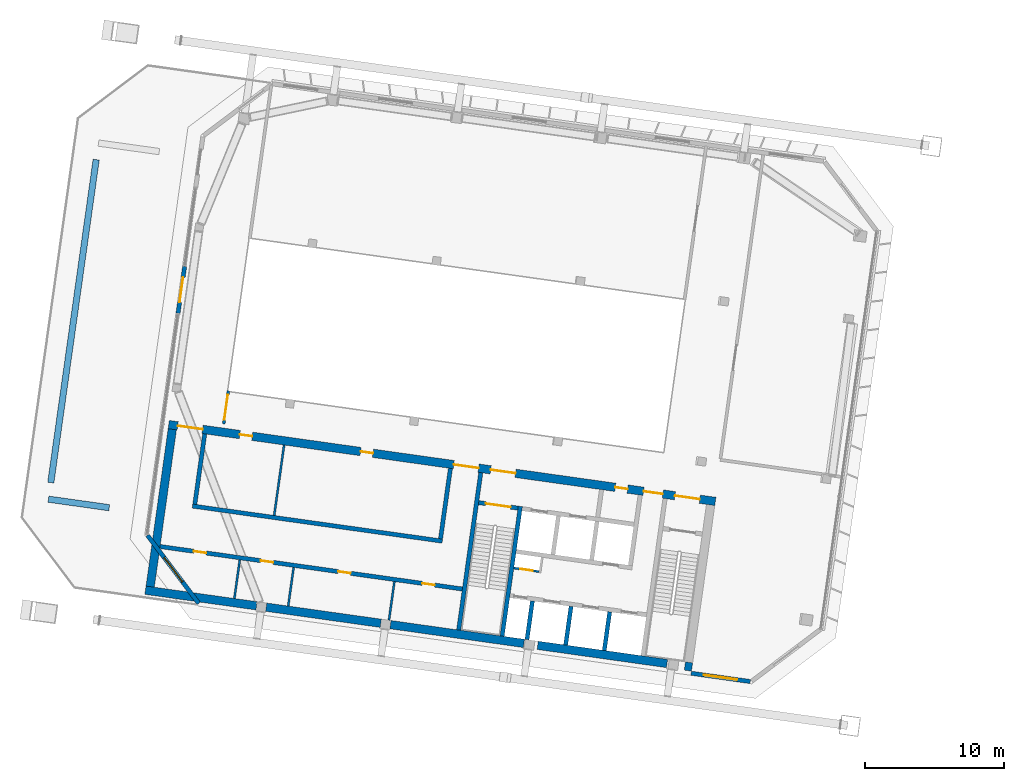
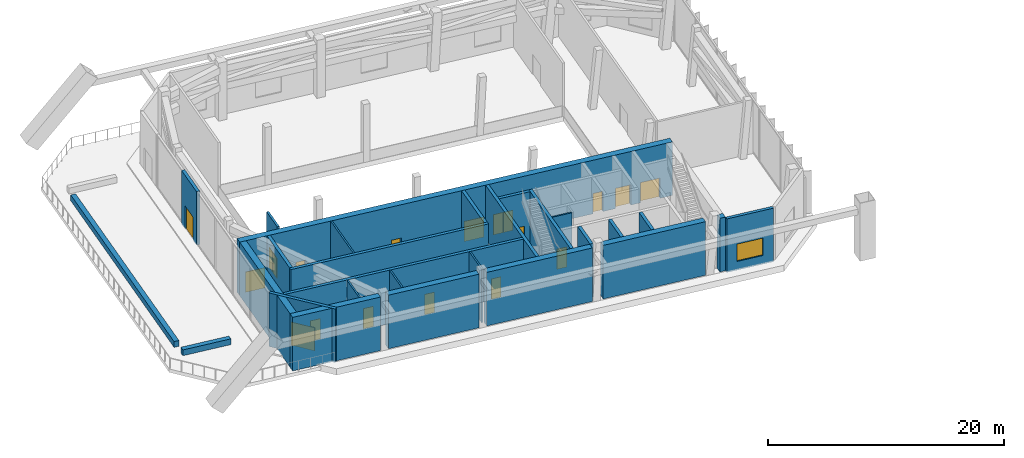
# One storey, part 15 of 29: 28 walls, 16 doors, 2 windows, 18 openings.
"""IFC4 building model written with IfcOpenShell, lengths in metres."""

from ifc_helpers import new_model, si_unit, direction, frame, frame_2d, origin, place, context, subcontext, project, spatial, rectangle, extrude, material, layer, layer_set, type_object, element, fill, save


model = new_model("IFC4")

# Units and contexts
model_context = context("Model", 3, precision=1e-05, world=origin(), true_north=direction((0.0, 1.0)))
body_context = subcontext(model_context, "Body", "Model", "MODEL_VIEW")
ifc_project = project(units=[si_unit("LENGTHUNIT", "METRE"), si_unit("AREAUNIT", "SQUARE_METRE"), si_unit("VOLUMEUNIT", "CUBIC_METRE"), si_unit("PLANEANGLEUNIT", "RADIAN"), si_unit("MASSUNIT", "GRAM", prefix="KILO")], contexts=[model_context])

# Site, building, storey
site_placement = place(None, origin())
site = spatial("IfcSite", under=ifc_project, at=site_placement, CompositionType="ELEMENT")
building_placement = place(site_placement, origin())
building = spatial("IfcBuilding", under=site, at=building_placement, Name="Mirante Cascada Hotel Towers", CompositionType="ELEMENT")
storey_placement = place(building_placement, frame((0.0, 0.0, 210.6)))
storey = spatial("IfcBuildingStorey", under=building, at=storey_placement, Name="L50", CompositionType="ELEMENT", Elevation=210.6)

# Wall, opening, door
ifc_material_1 = material(Name="Masonry block", Category="masonry")
ifc_layer_1 = layer(ifc_material_1, 0.15)
ifc_layer_set_1 = layer_set([ifc_layer_1], Name="Core room partition 150 block EI 30")
wall_type_1 = type_object("IfcWallType", Name="Core room partition 150 block EI 30", PredefinedType="PARTITIONING", material=ifc_layer_set_1)
wall_1_placement = place(storey_placement, frame((-48.2933, -12.7083, 0.0), z_axis=(0.0, 0.0, 1.0), x_axis=(-0.990268, 0.1391734, 0.0)))
wall_1 = element("IfcWall", 1, at=wall_1_placement, inside=storey, type_object=wall_type_1, Name="Core wall partition T1 L50 3", PredefinedType="PARTITIONING", context=body_context, shape_type="SweptSolid", body=[
    extrude(rectangle(XDim=1.8251, YDim=0.15, at=frame_2d((0.9126, 0.0))), origin(), (0.0, 0.0, 1.0), 5.55),
])
opening_1_placement = place(wall_1_placement, frame((0.4625, 0.0, 0.0)))
opening_1 = element("IfcOpeningElement", 2, at=opening_1_placement, cuts=wall_1, Name="Opening D1-50-C15", PredefinedType="OPENING", context=body_context, shape_type="SweptSolid", body=[
    extrude(rectangle(XDim=0.9, YDim=2.1, at=frame_2d((0.45, 1.05))), frame((0.0, 0.075, 0.0), z_axis=(0.0, -1.0, 0.0), x_axis=(1.0, 0.0, 0.0)), (0.0, 0.0, 1.0), 0.15),
])
ifc_material_2 = material(Name="Hollow metal fire door leaf")
door_type_1 = type_object("IfcDoorType", Name="Fire door 900x2100 FD60", OperationType="NOTDEFINED", PredefinedType="DOOR", material=ifc_material_2)
door_1_placement = place(opening_1_placement, origin())
door_1 = element("IfcDoor", 3, at=door_1_placement, inside=storey, type_object=door_type_1, Name="Riser door T1 L50 15", OperationType="SINGLE_SWING_LEFT", OverallHeight=2.1, OverallWidth=0.9, PredefinedType="DOOR", context=body_context, shape_type="SweptSolid", body=[
    extrude(rectangle(XDim=0.9, YDim=2.1, at=frame_2d((0.45, 1.05))), frame((0.0, 0.025, 0.0), z_axis=(0.0, -1.0, 0.0), x_axis=(1.0, 0.0, 0.0)), (0.0, 0.0, 1.0), 0.05),
])
fill(opening_1, door_1)

# Walls
for number, where, z_axis, x_axis, name in (
    (4, (-59.0582, -16.194, 0.0), (0.0, 0.0, 1.0), (0.139181, 0.990267, 0.0), "Core wall partition T1 L50 5"),
    (5, (-66.2872, -15.178, 0.0), (0.0, 0.0, 1.0), (0.139181, 0.990267, 0.0), "Core wall partition T1 L50 6"),
):
    element("IfcWall", number, at=place(storey_placement, frame(where, z_axis=z_axis, x_axis=x_axis)), inside=storey, type_object=wall_type_1, Name=name, PredefinedType="PARTITIONING", context=body_context, shape_type="SweptSolid", body=[
        extrude(rectangle(XDim=2.8, YDim=0.15, at=frame_2d((1.4, 0.0))), origin(), (0.0, 0.0, 1.0), 5.55),
    ])
wall_2_placement = place(storey_placement, frame((-70.1492, -14.6353, 0.0), z_axis=(0.0, 0.0, 1.0), x_axis=(0.139176, 0.9902677, 0.0)))
element("IfcWall", 6, at=wall_2_placement, inside=storey, type_object=wall_type_1, Name="Core wall partition T1 L50 7", PredefinedType="PARTITIONING", context=body_context, shape_type="SweptSolid", body=[
    extrude(rectangle(XDim=2.8001, YDim=0.15, at=frame_2d((1.4, 0.0))), origin(), (0.0, 0.0, 1.0), 5.55),
])
wall_3_placement = place(storey_placement, frame((-67.2919, -8.6749, 0.0), z_axis=(0.0, 0.0, 1.0), x_axis=(0.1391782, 0.9902673, 0.0)))
element("IfcWall", 7, at=wall_3_placement, inside=storey, type_object=wall_type_1, Name="Core wall partition T1 L50 8", PredefinedType="PARTITIONING", context=body_context, shape_type="SweptSolid", body=[
    extrude(rectangle(XDim=5.0999, YDim=0.15, at=frame_2d((2.55, 0.0))), origin(), (0.0, 0.0, 1.0), 5.55),
])

# Wall, openings, doors
ifc_material_3 = material(Name="Masonry block", Category="masonry")
ifc_layer_2 = layer(ifc_material_3, 0.3)
ifc_layer_set_2 = layer_set([ifc_layer_2], Name="Core wall 300 block EI 120")
wall_type_2 = type_object("IfcWallType", Name="Core wall 300 block EI 120", PredefinedType="PARTITIONING", material=ifc_layer_set_2)
wall_4_placement = place(storey_placement, frame((-53.7953, -13.9547, 0.0), z_axis=(0.0, 0.0, 1.0), x_axis=(-0.990268, 0.1391733, 0.0)))
wall_4 = element("IfcWall", 8, at=wall_4_placement, inside=storey, type_object=wall_type_2, Name="Core wall partition T1 L50 4", PredefinedType="PARTITIONING", context=body_context, shape_type="SweptSolid", body=[
    extrude(rectangle(XDim=21.9, YDim=0.3, at=frame_2d((10.95, 0.0))), origin(), (0.0, 0.0, 1.0), 5.55),
])
opening_2_placement = place(wall_4_placement, frame((2.0, 0.0, 0.0)))
opening_2 = element("IfcOpeningElement", 9, at=opening_2_placement, cuts=wall_4, Name="Opening D1-50-C17", PredefinedType="OPENING", context=body_context, shape_type="SweptSolid", body=[
    extrude(rectangle(XDim=0.9, YDim=2.1, at=frame_2d((0.45, 1.05))), frame((0.0, 0.15, 0.0), z_axis=(0.0, -1.0, 0.0), x_axis=(1.0, 0.0, 0.0)), (0.0, 0.0, 1.0), 0.3),
])
opening_3_placement = place(wall_4_placement, frame((8.1, 0.0, 0.0)))
opening_3 = element("IfcOpeningElement", 10, at=opening_3_placement, cuts=wall_4, Name="Opening D1-50-C18", PredefinedType="OPENING", context=body_context, shape_type="SweptSolid", body=[
    extrude(rectangle(XDim=0.9, YDim=2.1, at=frame_2d((0.45, 1.05))), frame((0.0, 0.15, 0.0), z_axis=(0.0, -1.0, 0.0), x_axis=(1.0, 0.0, 0.0)), (0.0, 0.0, 1.0), 0.3),
])
opening_4_placement = place(wall_4_placement, frame((13.7, 0.0, 0.0)))
opening_4 = element("IfcOpeningElement", 11, at=opening_4_placement, cuts=wall_4, Name="Opening D1-50-C19", PredefinedType="OPENING", context=body_context, shape_type="SweptSolid", body=[
    extrude(rectangle(XDim=0.9, YDim=2.1, at=frame_2d((0.45, 1.05))), frame((0.0, 0.15, 0.0), z_axis=(0.0, -1.0, 0.0), x_axis=(1.0, 0.0, 0.0)), (0.0, 0.0, 1.0), 0.3),
])
opening_5_placement = place(wall_4_placement, frame((18.55, 0.0, 0.0)))
opening_5 = element("IfcOpeningElement", 12, at=opening_5_placement, cuts=wall_4, Name="Opening D1-50-C20", PredefinedType="OPENING", context=body_context, shape_type="SweptSolid", body=[
    extrude(rectangle(XDim=0.9, YDim=2.1, at=frame_2d((0.45, 1.05))), frame((0.0, 0.15, 0.0), z_axis=(0.0, -1.0, 0.0), x_axis=(1.0, 0.0, 0.0)), (0.0, 0.0, 1.0), 0.3),
])
door_2_placement = place(opening_2_placement, origin())
door_2 = element("IfcDoor", 13, at=door_2_placement, inside=storey, type_object=door_type_1, Name="Room door T1 L50 17", OperationType="SINGLE_SWING_RIGHT", OverallHeight=2.1, OverallWidth=0.9, PredefinedType="DOOR", context=body_context, shape_type="SweptSolid", body=[
    extrude(rectangle(XDim=0.9, YDim=2.1, at=frame_2d((0.45, 1.05))), frame((0.0, 0.025, 0.0), z_axis=(0.0, -1.0, 0.0), x_axis=(1.0, 0.0, 0.0)), (0.0, 0.0, 1.0), 0.05),
])
fill(opening_2, door_2)
door_3_placement = place(opening_3_placement, origin())
door_3 = element("IfcDoor", 14, at=door_3_placement, inside=storey, type_object=door_type_1, Name="Room door T1 L50 18", OperationType="SINGLE_SWING_RIGHT", OverallHeight=2.1, OverallWidth=0.9, PredefinedType="DOOR", context=body_context, shape_type="SweptSolid", body=[
    extrude(rectangle(XDim=0.9, YDim=2.1, at=frame_2d((0.45, 1.05))), frame((0.0, 0.025, 0.0), z_axis=(0.0, -1.0, 0.0), x_axis=(1.0, 0.0, 0.0)), (0.0, 0.0, 1.0), 0.05),
])
fill(opening_3, door_3)
door_4_placement = place(opening_4_placement, origin())
door_4 = element("IfcDoor", 15, at=door_4_placement, inside=storey, type_object=door_type_1, Name="Room door T1 L50 19", OperationType="SINGLE_SWING_LEFT", OverallHeight=2.1, OverallWidth=0.9, PredefinedType="DOOR", context=body_context, shape_type="SweptSolid", body=[
    extrude(rectangle(XDim=0.9, YDim=2.1, at=frame_2d((0.45, 1.05))), frame((0.0, 0.025, 0.0), z_axis=(0.0, -1.0, 0.0), x_axis=(1.0, 0.0, 0.0)), (0.0, 0.0, 1.0), 0.05),
])
fill(opening_4, door_4)
door_5_placement = place(opening_5_placement, origin())
door_5 = element("IfcDoor", 16, at=door_5_placement, inside=storey, type_object=door_type_1, Name="Room door T1 L50 20", OperationType="SINGLE_SWING_LEFT", OverallHeight=2.1, OverallWidth=0.9, PredefinedType="DOOR", context=body_context, shape_type="SweptSolid", body=[
    extrude(rectangle(XDim=0.9, YDim=2.1, at=frame_2d((0.45, 1.05))), frame((0.0, 0.025, 0.0), z_axis=(0.0, -1.0, 0.0), x_axis=(1.0, 0.0, 0.0)), (0.0, 0.0, 1.0), 0.05),
])
fill(opening_5, door_5)

# Walls
ifc_material_4 = material(Name="Precast concrete C40/50", Category="concrete")
ifc_layer_3 = layer(ifc_material_4, 0.45)
ifc_layer_set_3 = layer_set([ifc_layer_3], Name="Planter wall 450 concrete C40/50")
wall_type_3 = type_object("IfcWallType", Name="Planter wall 450 concrete C40/50", PredefinedType="PARAPET", material=ifc_layer_set_3)
wall_5_placement = place(storey_placement, frame((-79.1301, -8.122, 0.0), z_axis=(0.0, 0.0, 1.0), x_axis=(-0.990267, 0.139181, 0.0)))
element("IfcWall", 17, at=wall_5_placement, inside=storey, type_object=wall_type_3, Name="PLANTER T1 L50 bed 1", PredefinedType="PARAPET", context=body_context, shape_type="SweptSolid", body=[
    extrude(rectangle(XDim=4.4, YDim=0.45, at=frame_2d((2.2, 0.0))), origin(), (0.0, 0.0, 1.0), 0.6),
])
wall_6_placement = place(storey_placement, frame((-83.3203, -6.3213, 0.0), z_axis=(0.0, 0.0, 1.0), x_axis=(0.1391708, 0.9902684, 0.0)))
element("IfcWall", 18, at=wall_6_placement, inside=storey, type_object=wall_type_3, Name="PLANTER T1 L50 bed 3", PredefinedType="PARAPET", context=body_context, shape_type="SweptSolid", body=[
    extrude(rectangle(XDim=23.4, YDim=0.45, at=frame_2d((11.7, 0.0))), origin(), (0.0, 0.0, 1.0), 0.6),
])

# Wall, opening, window
ifc_material_5 = material(Name="Precast concrete C40/50", Category="concrete")
ifc_layer_4 = layer(ifc_material_5, 0.3)
ifc_layer_set_4 = layer_set([ifc_layer_4], Name="Precast concrete C40/50 cladding wall 300")
wall_type_4 = type_object("IfcWallType", Name="Precast concrete C40/50 cladding wall 300", PredefinedType="STANDARD", material=ifc_layer_set_4)
wall_7_placement = place(storey_placement, frame((-33.138, -20.5943, 0.0), z_axis=(0.0, 0.0, 1.0), x_axis=(-0.9902652, 0.1391936, 0.0)))
wall_7 = element("IfcWall", 19, at=wall_7_placement, inside=storey, type_object=wall_type_4, Name="Rear cladding wall T1 L50 1", PredefinedType="STANDARD", context=body_context, shape_type="SweptSolid", body=[
    extrude(rectangle(XDim=4.2804, YDim=0.3, at=frame_2d((2.1402, 0.0))), origin(), (0.0, 0.0, 1.0), 5.55),
])
opening_6_placement = place(wall_7_placement, frame((0.959, 0.0, 0.9)))
opening_6 = element("IfcOpeningElement", 20, at=opening_6_placement, cuts=wall_7, Name="Opening W1-50-06", PredefinedType="OPENING", context=body_context, shape_type="SweptSolid", body=[
    extrude(rectangle(XDim=2.4, YDim=1.8, at=frame_2d((1.2, 0.9))), frame((0.0, 0.15, 0.0), z_axis=(0.0, -1.0, 0.0), x_axis=(1.0, 0.0, 0.0)), (0.0, 0.0, 1.0), 0.3),
])
ifc_material_6 = material(Name="Aluminium frame with clear double glazing", Category="aluminium")
window_type_1 = type_object("IfcWindowType", Name="Punched window 2400x1800", PartitioningType="DOUBLE_PANEL_VERTICAL", PredefinedType="WINDOW", material=ifc_material_6)
window_1_placement = place(opening_6_placement, origin())
window_1 = element("IfcWindow", 21, at=window_1_placement, inside=storey, type_object=window_type_1, Name="Window W1-50-06", OverallHeight=1.8, OverallWidth=2.4, PartitioningType="SINGLE_PANEL", PredefinedType="WINDOW", context=body_context, shape_type="SweptSolid", body=[
    extrude(rectangle(XDim=2.4, YDim=1.8, at=frame_2d((1.2, 0.9))), frame((0.0, 0.03, 0.0), z_axis=(0.0, -1.0, 0.0), x_axis=(1.0, 0.0, 0.0)), (0.0, 0.0, 1.0), 0.06),
])
fill(opening_6, window_1)

wall_8_placement = place(storey_placement, frame((-72.7051, -14.9892, 0.0), z_axis=(0.0, 0.0, 1.0), x_axis=(-0.6018141, 0.7986362, 0.0)))
wall_8 = element("IfcWall", 22, at=wall_8_placement, inside=storey, type_object=wall_type_4, Name="Corner cladding wall T1 L50 rear outer", PredefinedType="STANDARD", context=body_context, shape_type="SweptSolid", body=[
    extrude(rectangle(XDim=6.1157, YDim=0.3, at=frame_2d((3.0578, 0.0))), origin(), (0.0, 0.0, 1.0), 5.55),
])
opening_7_placement = place(wall_8_placement, frame((1.9427, 0.0, 0.6)))
opening_7 = element("IfcOpeningElement", 23, at=opening_7_placement, cuts=wall_8, Name="Opening W1-50-07", PredefinedType="OPENING", context=body_context, shape_type="SweptSolid", body=[
    extrude(rectangle(XDim=2.2, YDim=2.4, at=frame_2d((1.1, 1.2))), frame((0.0, 0.15, 0.0), z_axis=(0.0, -1.0, 0.0), x_axis=(1.0, 0.0, 0.0)), (0.0, 0.0, 1.0), 0.3),
])
ifc_material_7 = material(Name="Aluminium frame with clear double glazing", Category="aluminium")
window_type_2 = type_object("IfcWindowType", Name="Corner suite window 2200x2400", PartitioningType="DOUBLE_PANEL_VERTICAL", PredefinedType="WINDOW", material=ifc_material_7)
window_2_placement = place(opening_7_placement, origin())
window_2 = element("IfcWindow", 24, at=window_2_placement, inside=storey, type_object=window_type_2, Name="Window W1-50-07", OverallHeight=2.4, OverallWidth=2.2, PartitioningType="SINGLE_PANEL", PredefinedType="WINDOW", context=body_context, shape_type="SweptSolid", body=[
    extrude(rectangle(XDim=2.2, YDim=2.4, at=frame_2d((1.1, 1.2))), frame((0.0, 0.03, 0.0), z_axis=(0.0, -1.0, 0.0), x_axis=(1.0, 0.0, 0.0)), (0.0, 0.0, 1.0), 0.06),
])
fill(opening_7, window_2)

# Wall, opening, door
ifc_material_8 = material(Name="Precast concrete C40/50", Category="concrete")
ifc_layer_5 = layer(ifc_material_8, 0.3)
ifc_layer_set_5 = layer_set([ifc_layer_5], Name="Precast concrete C40/50 terrace wall 300")
wall_type_5 = type_object("IfcWallType", Name="Precast concrete C40/50 terrace wall 300", PredefinedType="STANDARD", material=ifc_layer_set_5)
wall_9_placement = place(storey_placement, frame((-74.1908, 5.8263, 0.0), z_axis=(0.0, 0.0, 1.0), x_axis=(0.139144, 0.9902722, 0.0)))
wall_9 = element("IfcWall", 25, at=wall_9_placement, inside=storey, type_object=wall_type_5, Name="Lounge door pier wall T1 L50 2", PredefinedType="STANDARD", context=body_context, shape_type="SweptSolid", body=[
    extrude(rectangle(XDim=3.4001, YDim=0.3, at=frame_2d((1.7, 0.0))), origin(), (0.0, 0.0, 1.0), 5.55),
])
opening_8_placement = place(wall_9_placement, frame((0.8, 0.0, 0.0)))
opening_8 = element("IfcOpeningElement", 26, at=opening_8_placement, cuts=wall_9, Name="Opening D1-50-91", PredefinedType="OPENING", context=body_context, shape_type="SweptSolid", body=[
    extrude(rectangle(XDim=1.8, YDim=2.4, at=frame_2d((0.9, 1.2))), frame((0.0, 0.15, 0.0), z_axis=(0.0, -1.0, 0.0), x_axis=(1.0, 0.0, 0.0)), (0.0, 0.0, 1.0), 0.3),
])
ifc_material_9 = material(Name="Aluminium frame with clear laminated glazing", Category="aluminium")
door_type_2 = type_object("IfcDoorType", Name="Terrace double door 1800x2400", OperationType="DOUBLE_DOOR_SINGLE_SWING", PredefinedType="DOOR", material=ifc_material_9)
door_6_placement = place(opening_8_placement, origin())
door_6 = element("IfcDoor", 27, at=door_6_placement, inside=storey, type_object=door_type_2, Name="Terrace door D1-50-91", OperationType="DOUBLE_DOOR_SINGLE_SWING", OverallHeight=2.4, OverallWidth=1.8, PredefinedType="DOOR", context=body_context, shape_type="SweptSolid", body=[
    extrude(rectangle(XDim=0.895, YDim=2.4, at=frame_2d((0.4475, 1.2))), frame((0.0, 0.025, 0.0), z_axis=(0.0, -1.0, 0.0), x_axis=(1.0, 0.0, 0.0)), (0.0, 0.0, 1.0), 0.05),
    extrude(rectangle(XDim=0.895, YDim=2.4, at=frame_2d((1.3525, 1.2))), frame((0.0, 0.025, 0.0), z_axis=(0.0, -1.0, 0.0), x_axis=(1.0, 0.0, 0.0)), (0.0, 0.0, 1.0), 0.05),
])
fill(opening_8, door_6)

# Walls
ifc_material_10 = material(Name="Concrete C50/60", Category="concrete")
ifc_layer_6 = layer(ifc_material_10, 0.3)
ifc_layer_set_6 = layer_set([ifc_layer_6], Name="RC core wall 300 C50/60")
wall_type_6 = type_object("IfcWallType", Name="RC core wall 300 C50/60", PredefinedType="SHEAR", material=ifc_layer_set_6)
wall_10_placement = place(storey_placement, frame((-50.938, -17.3352, 0.0), z_axis=(0.0, 0.0, 1.0), x_axis=(0.1391706, 0.9902684, 0.0)))
element("IfcWall", 28, at=wall_10_placement, inside=storey, type_object=wall_type_6, Name="Core wall T1:L50:6", PredefinedType="SHEAR", context=body_context, shape_type="SweptSolid", body=[
    extrude(rectangle(XDim=9.4, YDim=0.3, at=frame_2d((4.7, 0.0))), origin(), (0.0, 0.0, 1.0), 5.55),
])
wall_11_placement = place(storey_placement, frame((-54.0574, -16.8968, 0.0), z_axis=(0.0, 0.0, 1.0), x_axis=(0.1391761, 0.9902677, 0.0)))
element("IfcWall", 29, at=wall_11_placement, inside=storey, type_object=wall_type_6, Name="Core wall T1:L50:7", PredefinedType="SHEAR", context=body_context, shape_type="SweptSolid", body=[
    extrude(rectangle(XDim=11.3999, YDim=0.3, at=frame_2d((5.7, 0.0))), origin(), (0.0, 0.0, 1.0), 5.55),
])

# Wall, opening, door
wall_12_placement = place(storey_placement, frame((-49.7992, -8.1544, 0.0), z_axis=(0.0, 0.0, 1.0), x_axis=(-0.9902656, 0.1391909, 0.0)))
wall_12 = element("IfcWall", 30, at=wall_12_placement, inside=storey, type_object=wall_type_6, Name="Core wall T1:L50:9", PredefinedType="SHEAR", context=body_context, shape_type="SweptSolid", body=[
    extrude(rectangle(XDim=2.85, YDim=0.3, at=frame_2d((1.425, 0.0))), origin(), (0.0, 0.0, 1.0), 5.55),
])
opening_9_placement = place(wall_12_placement, frame((0.525, 0.0, 0.0)))
opening_9 = element("IfcOpeningElement", 31, at=opening_9_placement, cuts=wall_12, Name="Opening D1-50-C09", PredefinedType="OPENING", context=body_context, shape_type="SweptSolid", body=[
    extrude(rectangle(XDim=1.8, YDim=2.1, at=frame_2d((0.9, 1.05))), frame((0.0, 0.15, 0.0), z_axis=(0.0, -1.0, 0.0), x_axis=(1.0, 0.0, 0.0)), (0.0, 0.0, 1.0), 0.3),
])
ifc_material_11 = material(Name="Hollow metal fire door leaf")
door_type_3 = type_object("IfcDoorType", Name="Double fire door 1800x2100 FD60", OperationType="DOUBLE_DOOR_SINGLE_SWING", PredefinedType="DOOR", material=ifc_material_11)
door_7_placement = place(opening_9_placement, origin())
door_7 = element("IfcDoor", 32, at=door_7_placement, inside=storey, type_object=door_type_3, Name="Stair door T1 L50 9", OperationType="DOUBLE_DOOR_SINGLE_SWING", OverallHeight=2.1, OverallWidth=1.8, PredefinedType="DOOR", context=body_context, shape_type="SweptSolid", body=[
    extrude(rectangle(XDim=0.895, YDim=2.1, at=frame_2d((0.4475, 1.05))), frame((0.0, 0.025, 0.0), z_axis=(0.0, -1.0, 0.0), x_axis=(1.0, 0.0, 0.0)), (0.0, 0.0, 1.0), 0.05),
    extrude(rectangle(XDim=0.895, YDim=2.1, at=frame_2d((1.3525, 1.05))), frame((0.0, 0.025, 0.0), z_axis=(0.0, -1.0, 0.0), x_axis=(1.0, 0.0, 0.0)), (0.0, 0.0, 1.0), 0.05),
])
fill(opening_9, door_7)

# Walls
wall_13_placement = place(storey_placement, frame((-43.61, -18.3651, 0.0), z_axis=(0.0, 0.0, 1.0), x_axis=(0.1391459, 0.9902719, 0.0)))
element("IfcWall", 33, at=wall_13_placement, inside=storey, type_object=wall_type_6, Name="Core wall T1:L50:13", PredefinedType="SHEAR", context=body_context, shape_type="SweptSolid", body=[
    extrude(rectangle(XDim=2.7999, YDim=0.3, at=frame_2d((1.4, 0.0))), origin(), (0.0, 0.0, 1.0), 5.55),
])
wall_14_placement = place(storey_placement, frame((-46.3828, -17.9754, 0.0), z_axis=(0.0, 0.0, 1.0), x_axis=(0.139181, 0.990267, 0.0)))
element("IfcWall", 34, at=wall_14_placement, inside=storey, type_object=wall_type_6, Name="Core wall T1:L50:14", PredefinedType="SHEAR", context=body_context, shape_type="SweptSolid", body=[
    extrude(rectangle(XDim=2.8, YDim=0.3, at=frame_2d((1.4, 0.0))), origin(), (0.0, 0.0, 1.0), 5.55),
])
wall_15_placement = place(storey_placement, frame((-49.1555, -17.5857, 0.0), z_axis=(0.0, 0.0, 1.0), x_axis=(0.1391459, 0.9902719, 0.0)))
element("IfcWall", 35, at=wall_15_placement, inside=storey, type_object=wall_type_6, Name="Core wall T1:L50:15", PredefinedType="SHEAR", context=body_context, shape_type="SweptSolid", body=[
    extrude(rectangle(XDim=2.7999, YDim=0.3, at=frame_2d((1.4, 0.0))), origin(), (0.0, 0.0, 1.0), 5.55),
])
wall_16_placement = place(storey_placement, frame((-55.2315, -10.5214, 0.0), z_axis=(0.0, 0.0, 1.0), x_axis=(-0.9902684, 0.1391709, 0.0)))
element("IfcWall", 36, at=wall_16_placement, inside=storey, type_object=wall_type_6, Name="Core wall T1:L50:26", PredefinedType="SHEAR", context=body_context, shape_type="SweptSolid", body=[
    extrude(rectangle(XDim=18.1, YDim=0.3, at=frame_2d((9.05, 0.0))), origin(), (0.0, 0.0, 1.0), 5.55),
])
for number, where, z_axis, x_axis, name in (
    (37, (-55.3592, -10.352, 0.0), (0.0, 0.0, 1.0), (0.1391755, 0.9902677, 0.0), "Core wall T1:L50:27"),
    (38, (-72.9859, -7.8747, 0.0), (0.0, 0.0, 1.0), (0.1391563, 0.9902704, 0.0), "Core wall T1:L50:28"),
):
    element("IfcWall", number, at=place(storey_placement, frame(where, z_axis=z_axis, x_axis=x_axis)), inside=storey, type_object=wall_type_6, Name=name, PredefinedType="SHEAR", context=body_context, shape_type="SweptSolid", body=[
        extrude(rectangle(XDim=5.1, YDim=0.3, at=frame_2d((2.55, 0.0))), origin(), (0.0, 0.0, 1.0), 5.55),
    ])
ifc_material_12 = material(Name="Concrete C50/60", Category="concrete")
ifc_layer_7 = layer(ifc_material_12, 0.6)
ifc_layer_set_7 = layer_set([ifc_layer_7], Name="RC core wall 600 C50/60")
wall_type_7 = type_object("IfcWallType", Name="RC core wall 600 C50/60", PredefinedType="SHEAR", material=ifc_layer_set_7)
wall_17_placement = place(storey_placement, frame((-37.3141, -19.5529, 0.0), z_axis=(0.0, 0.0, 1.0), x_axis=(-0.9902703, 0.1391575, 0.0)))
element("IfcWall", 39, at=wall_17_placement, inside=storey, type_object=wall_type_7, Name="Core wall T1:L50:1.1", PredefinedType="SHEAR", context=body_context, shape_type="SweptSolid", body=[
    extrude(rectangle(XDim=0.5196, YDim=0.6, at=frame_2d((0.2598, 0.0))), origin(), (0.0, 0.0, 1.0), 5.55),
])
wall_18_placement = place(storey_placement, frame((-39.11, -19.3005, 0.0), z_axis=(0.0, 0.0, 1.0), x_axis=(-0.9902683, 0.1391711, 0.0)))
element("IfcWall", 40, at=wall_18_placement, inside=storey, type_object=wall_type_7, Name="Core wall T1:L50:1.2", PredefinedType="SHEAR", context=body_context, shape_type="SweptSolid", body=[
    extrude(rectangle(XDim=9.3712, YDim=0.6, at=frame_2d((4.6856, 0.0))), origin(), (0.0, 0.0, 1.0), 5.55),
])
wall_19_placement = place(storey_placement, frame((-49.3773, -17.8575, 0.0), z_axis=(0.0, 0.0, 1.0), x_axis=(-0.9902688, 0.1391678, 0.0)))
element("IfcWall", 41, at=wall_19_placement, inside=storey, type_object=wall_type_7, Name="Core wall T1:L50:1.3", PredefinedType="SHEAR", context=body_context, shape_type="SweptSolid", body=[
    extrude(rectangle(XDim=9.6682, YDim=0.6, at=frame_2d((4.8341, 0.0))), origin(), (0.0, 0.0, 1.0), 5.55),
])
wall_20_placement = place(storey_placement, frame((-59.6446, -16.4145, 0.0), z_axis=(0.0, 0.0, 1.0), x_axis=(-0.9902686, 0.1391692, 0.0)))
element("IfcWall", 42, at=wall_20_placement, inside=storey, type_object=wall_type_7, Name="Core wall T1:L50:1.4", PredefinedType="SHEAR", context=body_context, shape_type="SweptSolid", body=[
    extrude(rectangle(XDim=8.3, YDim=0.6, at=frame_2d((4.15, 0.0))), origin(), (0.0, 0.0, 1.0), 5.55),
])
wall_21_placement = place(storey_placement, frame((-68.557, -15.162, 0.0), z_axis=(0.0, 0.0, 1.0), x_axis=(-0.9902672, 0.1391793, 0.0)))
element("IfcWall", 43, at=wall_21_placement, inside=storey, type_object=wall_type_7, Name="Core wall T1:L50:1.5", PredefinedType="SHEAR", context=body_context, shape_type="SweptSolid", body=[
    extrude(rectangle(XDim=8.05, YDim=0.6, at=frame_2d((4.025, 0.0))), origin(), (0.0, 0.0, 1.0), 5.55),
])

# Wall, openings, doors
wall_22_placement = place(storey_placement, frame((-35.644, -7.6697, 0.0), z_axis=(0.0, 0.0, 1.0), x_axis=(-0.9902679, 0.1391743, 0.0)))
wall_22 = element("IfcWall", 44, at=wall_22_placement, inside=storey, type_object=wall_type_7, Name="Core wall T1:L50:2", PredefinedType="SHEAR", context=body_context, shape_type="SweptSolid", body=[
    extrude(rectangle(XDim=39.6, YDim=0.6, at=frame_2d((19.8, 0.0))), origin(), (0.0, 0.0, 1.0), 5.55),
])
opening_10_placement = place(wall_22_placement, frame((1.125, 0.0, 0.0)))
opening_10 = element("IfcOpeningElement", 45, at=opening_10_placement, cuts=wall_22, Name="Opening D1-50-C08", PredefinedType="OPENING", context=body_context, shape_type="SweptSolid", body=[
    extrude(rectangle(XDim=1.8, YDim=2.1, at=frame_2d((0.9, 1.05))), frame((0.0, 0.3, 0.0), z_axis=(0.0, -1.0, 0.0), x_axis=(1.0, 0.0, 0.0)), (0.0, 0.0, 1.0), 0.6),
])
opening_11_placement = place(wall_22_placement, frame((14.475, 0.0, 0.0)))
opening_11 = element("IfcOpeningElement", 46, at=opening_11_placement, cuts=wall_22, Name="Opening D1-50-C10", PredefinedType="OPENING", context=body_context, shape_type="SweptSolid", body=[
    extrude(rectangle(XDim=1.8, YDim=2.1, at=frame_2d((0.9, 1.05))), frame((0.0, 0.3, 0.0), z_axis=(0.0, -1.0, 0.0), x_axis=(1.0, 0.0, 0.0)), (0.0, 0.0, 1.0), 0.6),
])
opening_12_placement = place(wall_22_placement, frame((3.8, 0.0, 0.0)))
opening_12 = element("IfcOpeningElement", 47, at=opening_12_placement, cuts=wall_22, Name="Opening D1-50-C11", PredefinedType="OPENING", context=body_context, shape_type="SweptSolid", body=[
    extrude(rectangle(XDim=1.4, YDim=2.1, at=frame_2d((0.7, 1.05))), frame((0.0, 0.3, 0.0), z_axis=(0.0, -1.0, 0.0), x_axis=(1.0, 0.0, 0.0)), (0.0, 0.0, 1.0), 0.6),
])
opening_13_placement = place(wall_22_placement, frame((17.15, 0.0, 0.0)))
opening_13 = element("IfcOpeningElement", 48, at=opening_13_placement, cuts=wall_22, Name="Opening D1-50-C12", PredefinedType="OPENING", context=body_context, shape_type="SweptSolid", body=[
    extrude(rectangle(XDim=1.8, YDim=2.1, at=frame_2d((0.9, 1.05))), frame((0.0, 0.3, 0.0), z_axis=(0.0, -1.0, 0.0), x_axis=(1.0, 0.0, 0.0)), (0.0, 0.0, 1.0), 0.6),
])
opening_14_placement = place(wall_22_placement, frame((37.15, 0.0, 0.0)))
opening_14 = element("IfcOpeningElement", 49, at=opening_14_placement, cuts=wall_22, Name="Opening D1-50-C13", PredefinedType="OPENING", context=body_context, shape_type="SweptSolid", body=[
    extrude(rectangle(XDim=1.8, YDim=2.1, at=frame_2d((0.9, 1.05))), frame((0.0, 0.3, 0.0), z_axis=(0.0, -1.0, 0.0), x_axis=(1.0, 0.0, 0.0)), (0.0, 0.0, 1.0), 0.6),
])
opening_15_placement = place(wall_22_placement, frame((6.35, 0.0, 0.0)))
opening_15 = element("IfcOpeningElement", 50, at=opening_15_placement, cuts=wall_22, Name="Opening D1-50-C16", PredefinedType="OPENING", context=body_context, shape_type="SweptSolid", body=[
    extrude(rectangle(XDim=0.9, YDim=2.1, at=frame_2d((0.45, 1.05))), frame((0.0, 0.3, 0.0), z_axis=(0.0, -1.0, 0.0), x_axis=(1.0, 0.0, 0.0)), (0.0, 0.0, 1.0), 0.6),
])
opening_16_placement = place(wall_22_placement, frame((24.8, 0.0, 0.0)))
opening_16 = element("IfcOpeningElement", 51, at=opening_16_placement, cuts=wall_22, Name="Opening D1-50-C21", PredefinedType="OPENING", context=body_context, shape_type="SweptSolid", body=[
    extrude(rectangle(XDim=0.9, YDim=2.1, at=frame_2d((0.45, 1.05))), frame((0.0, 0.3, 0.0), z_axis=(0.0, -1.0, 0.0), x_axis=(1.0, 0.0, 0.0)), (0.0, 0.0, 1.0), 0.6),
])
opening_17_placement = place(wall_22_placement, frame((33.55, 0.0, 0.0)))
opening_17 = element("IfcOpeningElement", 52, at=opening_17_placement, cuts=wall_22, Name="Opening D1-50-C22", PredefinedType="OPENING", context=body_context, shape_type="SweptSolid", body=[
    extrude(rectangle(XDim=0.9, YDim=2.1, at=frame_2d((0.45, 1.05))), frame((0.0, 0.3, 0.0), z_axis=(0.0, -1.0, 0.0), x_axis=(1.0, 0.0, 0.0)), (0.0, 0.0, 1.0), 0.6),
])
ifc_material_13 = material(Name="Hollow metal fire door leaf")
door_type_4 = type_object("IfcDoorType", Name="Double fire door 1400x2100 FD60", OperationType="DOUBLE_DOOR_SINGLE_SWING", PredefinedType="DOOR", material=ifc_material_13)
door_8_placement = place(opening_12_placement, frame((1.4, 0.0, 0.0), z_axis=(0.0, 0.0, 1.0), x_axis=(-1.0, 0.0, 0.0)))
door_8 = element("IfcDoor", 53, at=door_8_placement, inside=storey, type_object=door_type_4, Name="Exit door to gallery T1 L50 11", OperationType="DOUBLE_DOOR_SINGLE_SWING", OverallHeight=2.1, OverallWidth=1.4, PredefinedType="DOOR", context=body_context, shape_type="SweptSolid", body=[
    extrude(rectangle(XDim=0.695, YDim=2.1, at=frame_2d((0.3475, 1.05))), frame((0.0, 0.025, 0.0), z_axis=(0.0, -1.0, 0.0), x_axis=(1.0, 0.0, 0.0)), (0.0, 0.0, 1.0), 0.05),
    extrude(rectangle(XDim=0.695, YDim=2.1, at=frame_2d((1.0525, 1.05))), frame((0.0, 0.025, 0.0), z_axis=(0.0, -1.0, 0.0), x_axis=(1.0, 0.0, 0.0)), (0.0, 0.0, 1.0), 0.05),
])
fill(opening_12, door_8)
door_9_placement = place(opening_10_placement, origin())
door_9 = element("IfcDoor", 54, at=door_9_placement, inside=storey, type_object=door_type_3, Name="Exit door to gallery T1 L50 8", OperationType="DOUBLE_DOOR_SINGLE_SWING", OverallHeight=2.1, OverallWidth=1.8, PredefinedType="DOOR", context=body_context, shape_type="SweptSolid", body=[
    extrude(rectangle(XDim=0.895, YDim=2.1, at=frame_2d((0.4475, 1.05))), frame((0.0, 0.025, 0.0), z_axis=(0.0, -1.0, 0.0), x_axis=(1.0, 0.0, 0.0)), (0.0, 0.0, 1.0), 0.05),
    extrude(rectangle(XDim=0.895, YDim=2.1, at=frame_2d((1.3525, 1.05))), frame((0.0, 0.025, 0.0), z_axis=(0.0, -1.0, 0.0), x_axis=(1.0, 0.0, 0.0)), (0.0, 0.0, 1.0), 0.05),
])
fill(opening_10, door_9)
door_10_placement = place(opening_11_placement, origin())
door_10 = element("IfcDoor", 55, at=door_10_placement, inside=storey, type_object=door_type_3, Name="Exit door to gallery T1 L50 10", OperationType="DOUBLE_DOOR_SINGLE_SWING", OverallHeight=2.1, OverallWidth=1.8, PredefinedType="DOOR", context=body_context, shape_type="SweptSolid", body=[
    extrude(rectangle(XDim=0.895, YDim=2.1, at=frame_2d((0.4475, 1.05))), frame((0.0, 0.025, 0.0), z_axis=(0.0, -1.0, 0.0), x_axis=(1.0, 0.0, 0.0)), (0.0, 0.0, 1.0), 0.05),
    extrude(rectangle(XDim=0.895, YDim=2.1, at=frame_2d((1.3525, 1.05))), frame((0.0, 0.025, 0.0), z_axis=(0.0, -1.0, 0.0), x_axis=(1.0, 0.0, 0.0)), (0.0, 0.0, 1.0), 0.05),
])
fill(opening_11, door_10)
door_11_placement = place(opening_13_placement, frame((1.8, 0.0, 0.0), z_axis=(0.0, 0.0, 1.0), x_axis=(-1.0, 0.0, 0.0)))
door_11 = element("IfcDoor", 56, at=door_11_placement, inside=storey, type_object=door_type_3, Name="Exit door to gallery T1 L50 12", OperationType="DOUBLE_DOOR_SINGLE_SWING", OverallHeight=2.1, OverallWidth=1.8, PredefinedType="DOOR", context=body_context, shape_type="SweptSolid", body=[
    extrude(rectangle(XDim=0.895, YDim=2.1, at=frame_2d((0.4475, 1.05))), frame((0.0, 0.025, 0.0), z_axis=(0.0, -1.0, 0.0), x_axis=(1.0, 0.0, 0.0)), (0.0, 0.0, 1.0), 0.05),
    extrude(rectangle(XDim=0.895, YDim=2.1, at=frame_2d((1.3525, 1.05))), frame((0.0, 0.025, 0.0), z_axis=(0.0, -1.0, 0.0), x_axis=(1.0, 0.0, 0.0)), (0.0, 0.0, 1.0), 0.05),
])
fill(opening_13, door_11)
door_12_placement = place(opening_14_placement, frame((1.8, 0.0, 0.0), z_axis=(0.0, 0.0, 1.0), x_axis=(-1.0, 0.0, 0.0)))
door_12 = element("IfcDoor", 57, at=door_12_placement, inside=storey, type_object=door_type_3, Name="Exit door to gallery T1 L50 13", OperationType="DOUBLE_DOOR_SINGLE_SWING", OverallHeight=2.1, OverallWidth=1.8, PredefinedType="DOOR", context=body_context, shape_type="SweptSolid", body=[
    extrude(rectangle(XDim=0.895, YDim=2.1, at=frame_2d((0.4475, 1.05))), frame((0.0, 0.025, 0.0), z_axis=(0.0, -1.0, 0.0), x_axis=(1.0, 0.0, 0.0)), (0.0, 0.0, 1.0), 0.05),
    extrude(rectangle(XDim=0.895, YDim=2.1, at=frame_2d((1.3525, 1.05))), frame((0.0, 0.025, 0.0), z_axis=(0.0, -1.0, 0.0), x_axis=(1.0, 0.0, 0.0)), (0.0, 0.0, 1.0), 0.05),
])
fill(opening_14, door_12)
door_13_placement = place(opening_15_placement, origin())
door_13 = element("IfcDoor", 58, at=door_13_placement, inside=storey, type_object=door_type_1, Name="Room door T1 L50 16", OperationType="SINGLE_SWING_RIGHT", OverallHeight=2.1, OverallWidth=0.9, PredefinedType="DOOR", context=body_context, shape_type="SweptSolid", body=[
    extrude(rectangle(XDim=0.9, YDim=2.1, at=frame_2d((0.45, 1.05))), frame((0.0, 0.025, 0.0), z_axis=(0.0, -1.0, 0.0), x_axis=(1.0, 0.0, 0.0)), (0.0, 0.0, 1.0), 0.05),
])
fill(opening_15, door_13)
door_14_placement = place(opening_16_placement, origin())
door_14 = element("IfcDoor", 59, at=door_14_placement, inside=storey, type_object=door_type_1, Name="Room door T1 L50 21", OperationType="SINGLE_SWING_LEFT", OverallHeight=2.1, OverallWidth=0.9, PredefinedType="DOOR", context=body_context, shape_type="SweptSolid", body=[
    extrude(rectangle(XDim=0.9, YDim=2.1, at=frame_2d((0.45, 1.05))), frame((0.0, 0.025, 0.0), z_axis=(0.0, -1.0, 0.0), x_axis=(1.0, 0.0, 0.0)), (0.0, 0.0, 1.0), 0.05),
])
fill(opening_16, door_14)
door_15_placement = place(opening_17_placement, origin())
door_15 = element("IfcDoor", 60, at=door_15_placement, inside=storey, type_object=door_type_1, Name="Room door T1 L50 22", OperationType="SINGLE_SWING_LEFT", OverallHeight=2.1, OverallWidth=0.9, PredefinedType="DOOR", context=body_context, shape_type="SweptSolid", body=[
    extrude(rectangle(XDim=0.9, YDim=2.1, at=frame_2d((0.45, 1.05))), frame((0.0, 0.025, 0.0), z_axis=(0.0, -1.0, 0.0), x_axis=(1.0, 0.0, 0.0)), (0.0, 0.0, 1.0), 0.05),
])
fill(opening_17, door_15)

# Wall
wall_23_placement = place(storey_placement, frame((-76.1899, -13.7863, 0.0), z_axis=(0.0, 0.0, 1.0), x_axis=(0.1391761, 0.9902677, 0.0)))
element("IfcWall", 61, at=wall_23_placement, inside=storey, type_object=wall_type_7, Name="Core wall T1:L50:4", PredefinedType="SHEAR", context=body_context, shape_type="SweptSolid", body=[
    extrude(rectangle(XDim=11.3999, YDim=0.6, at=frame_2d((5.7, 0.0))), origin(), (0.0, 0.0, 1.0), 5.55),
])

# Wall, opening, door
ifc_material_14 = material(Name="Masonry block", Category="masonry")
ifc_layer_8 = layer(ifc_material_14, 0.2)
ifc_layer_set_8 = layer_set([ifc_layer_8], Name="Refuge and plant wall 200 block EI 120")
wall_type_8 = type_object("IfcWallType", Name="Refuge and plant wall 200 block EI 120", PredefinedType="PARTITIONING", material=ifc_layer_set_8)
wall_24_placement = place(storey_placement, frame((-70.9131, -2.107, 0.0), z_axis=(0.0, 0.0, 1.0), x_axis=(0.1392101, 0.9902629, 0.0)))
wall_24 = element("IfcWall", 62, at=wall_24_placement, inside=storey, type_object=wall_type_8, Name="Refuge floor wall T1 L50 S4", PredefinedType="PARTITIONING", context=body_context, shape_type="SweptSolid", body=[
    extrude(rectangle(XDim=2.4, YDim=0.2, at=frame_2d((1.2, 0.0))), origin(), (0.0, 0.0, 1.0), 5.55),
])
opening_18_placement = place(wall_24_placement, frame((0.3, 0.0, 0.0)))
opening_18 = element("IfcOpeningElement", 63, at=opening_18_placement, cuts=wall_24, Name="Opening D1-50-S03", PredefinedType="OPENING", context=body_context, shape_type="SweptSolid", body=[
    extrude(rectangle(XDim=1.8, YDim=2.1, at=frame_2d((0.9, 1.05))), frame((0.0, 0.1, 0.0), z_axis=(0.0, -1.0, 0.0), x_axis=(1.0, 0.0, 0.0)), (0.0, 0.0, 1.0), 0.2),
])
ifc_material_15 = material(Name="Hollow metal fire door leaf")
door_type_5 = type_object("IfcDoorType", Name="Refuge and plant double door 1800x2100 FD60", OperationType="DOUBLE_DOOR_SINGLE_SWING", PredefinedType="DOOR", material=ifc_material_15)
door_16_placement = place(opening_18_placement, origin())
door_16 = element("IfcDoor", 64, at=door_16_placement, inside=storey, type_object=door_type_5, Name="Fire door T1 L50 s3", OperationType="DOUBLE_DOOR_SINGLE_SWING", OverallHeight=2.1, OverallWidth=1.8, PredefinedType="DOOR", context=body_context, shape_type="SweptSolid", body=[
    extrude(rectangle(XDim=0.895, YDim=2.1, at=frame_2d((0.4475, 1.05))), frame((0.0, 0.025, 0.0), z_axis=(0.0, -1.0, 0.0), x_axis=(1.0, 0.0, 0.0)), (0.0, 0.0, 1.0), 0.05),
    extrude(rectangle(XDim=0.895, YDim=2.1, at=frame_2d((1.3525, 1.05))), frame((0.0, 0.025, 0.0), z_axis=(0.0, -1.0, 0.0), x_axis=(1.0, 0.0, 0.0)), (0.0, 0.0, 1.0), 0.05),
])
fill(opening_18, door_16)

save(model, "model.ifc")
